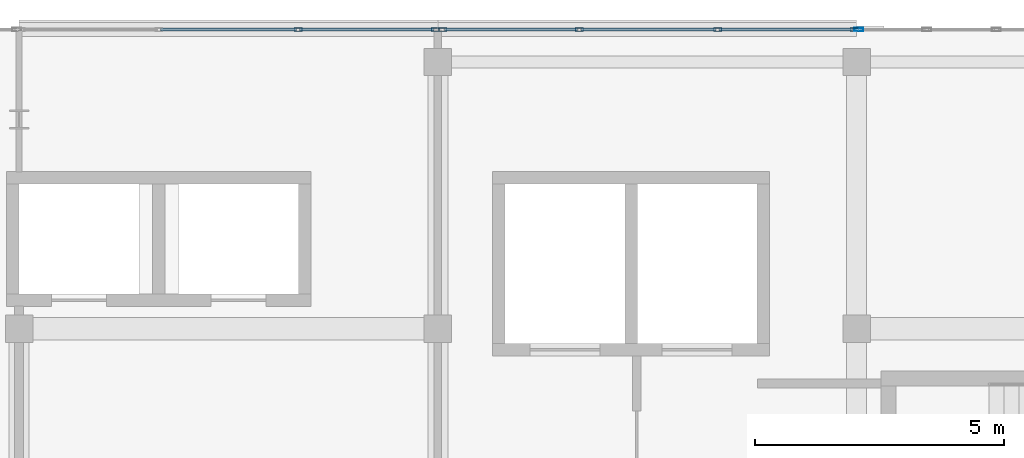
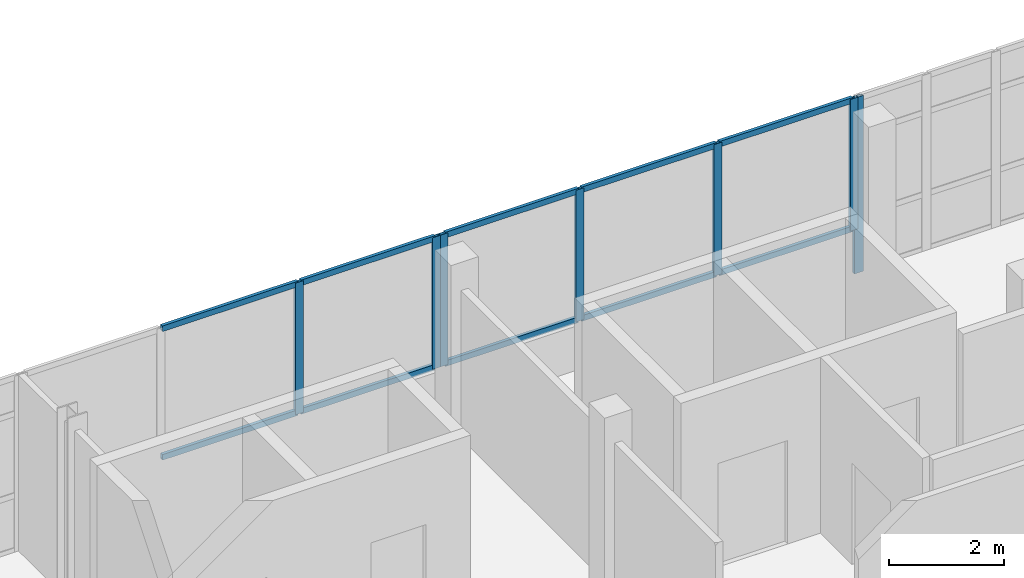
# One storey, part 42 of 67: 17 members, 3 elements without a shape of their own.
"""IFC4 building model written with IfcOpenShell, lengths in metres."""

from ifc_helpers import new_model, si_unit, direction, frame, origin, origin_2d, place, context, subcontext, project, spatial, hollow_rectangle, extrude, material, material_profile, profile_set, type_object, element, aggregate, save


model = new_model("IFC4")

# Units and contexts
model_context = context("Model", 3, precision=1e-05, world=origin(), true_north=direction((0.0, 1.0)))
body_context = subcontext(model_context, "Body", "Model", "MODEL_VIEW")
ifc_project = project(units=[si_unit("LENGTHUNIT", "METRE"), si_unit("AREAUNIT", "SQUARE_METRE"), si_unit("VOLUMEUNIT", "CUBIC_METRE"), si_unit("PLANEANGLEUNIT", "RADIAN"), si_unit("MASSUNIT", "GRAM", prefix="KILO")], contexts=[model_context])

# Site, building, storey
site_placement = place(None, origin())
site = spatial("IfcSite", under=ifc_project, at=site_placement, CompositionType="ELEMENT")
building_placement = place(site_placement, origin())
building = spatial("IfcBuilding", under=site, at=building_placement, Name="Selatvlak General Hospital", CompositionType="ELEMENT")
storey_placement = place(building_placement, frame((0.0, 0.0, 35.39990234375)))
storey = spatial("IfcBuildingStorey", under=building, at=storey_placement, Name="L08", CompositionType="ELEMENT", Elevation=35.39990234375)

# Curtain wall, members
ifc_material_1 = material(Name="Solar-control Low-E double glazing", Category="glass")
curtain_wall_type_1 = type_object("IfcCurtainWallType", Name="CW-CW-02", PredefinedType="USERDEFINED", material=ifc_material_1)
curtain_wall_1_placement = place(storey_placement, origin())
curtain_wall_1 = element("IfcCurtainWall", 1, at=curtain_wall_1_placement, inside=storey, type_object=curtain_wall_type_1, Name="Glazed facade curtain wall CW-L08-0693", ObjectType="UNITISED CURTAIN WALL", PredefinedType="USERDEFINED")
ifc_material_2 = material(Name="Dark anodised aluminium mullion", Category="aluminium")
ifc_material_profile_1 = material_profile(ifc_material_2, hollow_rectangle(XDim=0.06494140625, YDim=0.159912109375, WallThickness=0.00390625, at=origin_2d()), Name="AL-MUL 65x160x4")
ifc_profile_set_1 = profile_set([ifc_material_profile_1], Name="Dark anodised aluminium mullion")
member_type_1 = type_object("IfcMemberType", Name="CWM-01", PredefinedType="MULLION", material=ifc_profile_set_1)
member_1_placement = place(storey_placement, frame((120.7939453125, 120.0, 0.940185546875), z_axis=(0.0, 0.0, 1.0), x_axis=(0.0, 1.0, 0.0)))
member_1 = element("IfcMember", 2, at=member_1_placement, type_object=member_type_1, Name="CW-02 mullion 3", PredefinedType="MULLION", context=body_context, shape_type="SweptSolid", body=[
    extrude(hollow_rectangle(XDim=0.06494140625, YDim=0.159912109375, WallThickness=0.00390625, at=origin_2d()), origin(), (0.0, 0.0, 1.0), 2.7998046875),
])
member_2_placement = place(storey_placement, frame((123.551513671875, 120.0, 0.940185546875), z_axis=(0.0, 0.0, 1.0), x_axis=(0.0, 1.0, 0.0)))
member_2 = element("IfcMember", 3, at=member_2_placement, type_object=member_type_1, Name="CW-02 mullion 4", PredefinedType="MULLION", context=body_context, shape_type="SweptSolid", body=[
    extrude(hollow_rectangle(XDim=0.06494140625, YDim=0.159912109375, WallThickness=0.00390625, at=origin_2d()), origin(), (0.0, 0.0, 1.0), 2.7998046875),
])

curtain_wall_type_2 = type_object("IfcCurtainWallType", Name="CW-CW-01", PredefinedType="USERDEFINED", material=ifc_material_1)
curtain_wall_2_placement = place(storey_placement, origin())
curtain_wall_2 = element("IfcCurtainWall", 4, at=curtain_wall_2_placement, inside=storey, type_object=curtain_wall_type_2, Name="Glazed facade curtain wall CW-L08-0694", ObjectType="UNITISED CURTAIN WALL", PredefinedType="USERDEFINED")
member_3_placement = place(storey_placement, frame((123.696533203125, 120.0, 0.940185546875), z_axis=(0.0, 0.0, 1.0), x_axis=(0.0, 1.0, 0.0)))
member_3 = element("IfcMember", 5, at=member_3_placement, type_object=member_type_1, Name="CW-01 mullion 1", PredefinedType="MULLION", context=body_context, shape_type="SweptSolid", body=[
    extrude(hollow_rectangle(XDim=0.06494140625, YDim=0.159912109375, WallThickness=0.00390625, at=origin_2d()), origin(), (0.0, 0.0, 1.0), 2.7998046875),
])
member_4_placement = place(storey_placement, frame((126.437255859375, 120.0, 0.940185546875), z_axis=(0.0, 0.0, 1.0), x_axis=(0.0, 1.0, 0.0)))
member_4 = element("IfcMember", 6, at=member_4_placement, type_object=member_type_1, Name="CW-01 mullion 2", PredefinedType="MULLION", context=body_context, shape_type="SweptSolid", body=[
    extrude(hollow_rectangle(XDim=0.06494140625, YDim=0.159912109375, WallThickness=0.00390625, at=origin_2d()), origin(), (0.0, 0.0, 1.0), 2.7998046875),
])
member_5_placement = place(storey_placement, frame((129.210693359375, 120.0, 0.940185546875), z_axis=(0.0, 0.0, 1.0), x_axis=(0.0, 1.0, 0.0)))
member_5 = element("IfcMember", 7, at=member_5_placement, type_object=member_type_1, Name="CW-01 mullion 3", PredefinedType="MULLION", context=body_context, shape_type="SweptSolid", body=[
    extrude(hollow_rectangle(XDim=0.06494140625, YDim=0.159912109375, WallThickness=0.00390625, at=origin_2d()), origin(), (0.0, 0.0, 1.0), 2.7998046875),
])
member_6_placement = place(storey_placement, frame((131.951416015625, 120.0, 0.940185546875), z_axis=(0.0, 0.0, 1.0), x_axis=(0.0, 1.0, 0.0)))
member_6 = element("IfcMember", 8, at=member_6_placement, type_object=member_type_1, Name="CW-01 mullion 4", PredefinedType="MULLION", context=body_context, shape_type="SweptSolid", body=[
    extrude(hollow_rectangle(XDim=0.06494140625, YDim=0.159912109375, WallThickness=0.00390625, at=origin_2d()), origin(), (0.0, 0.0, 1.0), 2.7998046875),
])

# Curtain wall, member
curtain_wall_type_3 = type_object("IfcCurtainWallType", Name="CW-CW-04", PredefinedType="USERDEFINED", material=ifc_material_1)
curtain_wall_3_placement = place(storey_placement, origin())
curtain_wall_3 = element("IfcCurtainWall", 9, at=curtain_wall_3_placement, inside=storey, type_object=curtain_wall_type_3, Name="Glazed facade curtain wall CW-L08-0695", ObjectType="STICK GLAZING WALL", PredefinedType="USERDEFINED")
ifc_material_profile_2 = material_profile(ifc_material_2, hollow_rectangle(XDim=0.06494140625, YDim=0.179931640625, WallThickness=0.00439453125, at=origin_2d()), Name="AL-MUL 65x180x4.5")
ifc_profile_set_2 = profile_set([ifc_material_profile_2], Name="Dark anodised aluminium mullion")
member_type_2 = type_object("IfcMemberType", Name="CWM-02", PredefinedType="MULLION", material=ifc_profile_set_2)
member_7_placement = place(storey_placement, frame((132.04638671875, 120.0, 0.0), z_axis=(0.0, 0.0, 1.0), x_axis=(0.0, 1.0, 0.0)))
member_7 = element("IfcMember", 10, at=member_7_placement, type_object=member_type_2, Name="CW-04 mullion 1", PredefinedType="MULLION", context=body_context, shape_type="SweptSolid", body=[
    extrude(hollow_rectangle(XDim=0.06494140625, YDim=0.179931640625, WallThickness=0.00439453125, at=origin_2d()), origin(), (0.0, 0.0, 1.0), 3.739990234375),
])
aggregate(curtain_wall_3, [member_7])

# Member
ifc_material_profile_3 = material_profile(ifc_material_2, hollow_rectangle(XDim=0.06494140625, YDim=0.1201171875, WallThickness=0.00390625, at=origin_2d()), Name="AL-TRN 65x120x4")
ifc_profile_set_3 = profile_set([ifc_material_profile_3], Name="Dark anodised aluminium mullion")
member_type_3 = type_object("IfcMemberType", Name="CWT-01", PredefinedType="USERDEFINED", material=ifc_profile_set_3)
member_8_placement = place(storey_placement, frame((118.03662109375, 120.0, 0.97265625), z_axis=(1.0, 0.0, 0.0), x_axis=(0.0, 1.0, 0.0)))
member_8 = element("IfcMember", 11, at=member_8_placement, type_object=member_type_3, Name="CW-02 transom 2.1", ObjectType="TRANSOM", PredefinedType="USERDEFINED", context=body_context, shape_type="SweptSolid", body=[
    extrude(hollow_rectangle(XDim=0.06494140625, YDim=0.1201171875, WallThickness=0.00390625, at=origin_2d()), origin(), (0.0, 0.0, 1.0), 2.724853515625),
])

member_9_placement = place(storey_placement, frame((118.03662109375, 120.0, 3.70751953125), z_axis=(1.0, 0.0, 0.0), x_axis=(0.0, 1.0, 0.0)))
member_9 = element("IfcMember", 12, at=member_9_placement, type_object=member_type_3, Name="CW-02 transom 2.2", ObjectType="TRANSOM", PredefinedType="USERDEFINED", context=body_context, shape_type="SweptSolid", body=[
    extrude(hollow_rectangle(XDim=0.06494140625, YDim=0.1201171875, WallThickness=0.00390625, at=origin_2d()), origin(), (0.0, 0.0, 1.0), 2.724853515625),
])

member_10_placement = place(storey_placement, frame((120.826416015625, 120.0, 0.97265625), z_axis=(1.0, 0.0, 0.0), x_axis=(0.0, 1.0, 0.0)))
member_10 = element("IfcMember", 13, at=member_10_placement, type_object=member_type_3, Name="CW-02 transom 3.1", ObjectType="TRANSOM", PredefinedType="USERDEFINED", context=body_context, shape_type="SweptSolid", body=[
    extrude(hollow_rectangle(XDim=0.06494140625, YDim=0.1201171875, WallThickness=0.00390625, at=origin_2d()), origin(), (0.0, 0.0, 1.0), 2.692626953125),
])

member_11_placement = place(storey_placement, frame((120.826416015625, 120.0, 3.70751953125), z_axis=(1.0, 0.0, 0.0), x_axis=(0.0, 1.0, 0.0)))
member_11 = element("IfcMember", 14, at=member_11_placement, type_object=member_type_3, Name="CW-02 transom 3.2", ObjectType="TRANSOM", PredefinedType="USERDEFINED", context=body_context, shape_type="SweptSolid", body=[
    extrude(hollow_rectangle(XDim=0.06494140625, YDim=0.1201171875, WallThickness=0.00390625, at=origin_2d()), origin(), (0.0, 0.0, 1.0), 2.692626953125),
])

aggregate(curtain_wall_1, [member_1, member_2, member_8, member_9, member_10, member_11])

member_12_placement = place(storey_placement, frame((123.72900390625, 120.0, 0.97265625), z_axis=(1.0, 0.0, 0.0), x_axis=(0.0, 1.0, 0.0)))
member_12 = element("IfcMember", 15, at=member_12_placement, type_object=member_type_3, Name="CW-01 transom 1.1", ObjectType="TRANSOM", PredefinedType="USERDEFINED", context=body_context, shape_type="SweptSolid", body=[
    extrude(hollow_rectangle(XDim=0.06494140625, YDim=0.1201171875, WallThickness=0.00390625, at=origin_2d()), origin(), (0.0, 0.0, 1.0), 2.67578125),
])

member_13_placement = place(storey_placement, frame((123.72900390625, 120.0, 3.70751953125), z_axis=(1.0, 0.0, 0.0), x_axis=(0.0, 1.0, 0.0)))
member_13 = element("IfcMember", 16, at=member_13_placement, type_object=member_type_3, Name="CW-01 transom 1.2", ObjectType="TRANSOM", PredefinedType="USERDEFINED", context=body_context, shape_type="SweptSolid", body=[
    extrude(hollow_rectangle(XDim=0.06494140625, YDim=0.1201171875, WallThickness=0.00390625, at=origin_2d()), origin(), (0.0, 0.0, 1.0), 2.67578125),
])

member_14_placement = place(storey_placement, frame((126.4697265625, 120.0, 0.97265625), z_axis=(1.0, 0.0, 0.0), x_axis=(0.0, 1.0, 0.0)))
member_14 = element("IfcMember", 17, at=member_14_placement, type_object=member_type_3, Name="CW-01 transom 2.1", ObjectType="TRANSOM", PredefinedType="USERDEFINED", context=body_context, shape_type="SweptSolid", body=[
    extrude(hollow_rectangle(XDim=0.06494140625, YDim=0.1201171875, WallThickness=0.00390625, at=origin_2d()), origin(), (0.0, 0.0, 1.0), 2.70849609375),
])

member_15_placement = place(storey_placement, frame((126.4697265625, 120.0, 3.70751953125), z_axis=(1.0, 0.0, 0.0), x_axis=(0.0, 1.0, 0.0)))
member_15 = element("IfcMember", 18, at=member_15_placement, type_object=member_type_3, Name="CW-01 transom 2.2", ObjectType="TRANSOM", PredefinedType="USERDEFINED", context=body_context, shape_type="SweptSolid", body=[
    extrude(hollow_rectangle(XDim=0.06494140625, YDim=0.1201171875, WallThickness=0.00390625, at=origin_2d()), origin(), (0.0, 0.0, 1.0), 2.70849609375),
])

member_16_placement = place(storey_placement, frame((129.2431640625, 120.0, 0.97265625), z_axis=(1.0, 0.0, 0.0), x_axis=(0.0, 1.0, 0.0)))
member_16 = element("IfcMember", 19, at=member_16_placement, type_object=member_type_3, Name="CW-01 transom 3.1", ObjectType="TRANSOM", PredefinedType="USERDEFINED", context=body_context, shape_type="SweptSolid", body=[
    extrude(hollow_rectangle(XDim=0.06494140625, YDim=0.1201171875, WallThickness=0.00390625, at=origin_2d()), origin(), (0.0, 0.0, 1.0), 2.67578125),
])

member_17_placement = place(storey_placement, frame((129.2431640625, 120.0, 3.70751953125), z_axis=(1.0, 0.0, 0.0), x_axis=(0.0, 1.0, 0.0)))
member_17 = element("IfcMember", 20, at=member_17_placement, type_object=member_type_3, Name="CW-01 transom 3.2", ObjectType="TRANSOM", PredefinedType="USERDEFINED", context=body_context, shape_type="SweptSolid", body=[
    extrude(hollow_rectangle(XDim=0.06494140625, YDim=0.1201171875, WallThickness=0.00390625, at=origin_2d()), origin(), (0.0, 0.0, 1.0), 2.67578125),
])

aggregate(curtain_wall_2, [member_3, member_4, member_5, member_6, member_12, member_13, member_14, member_15, member_16, member_17])

save(model, "model.ifc")
